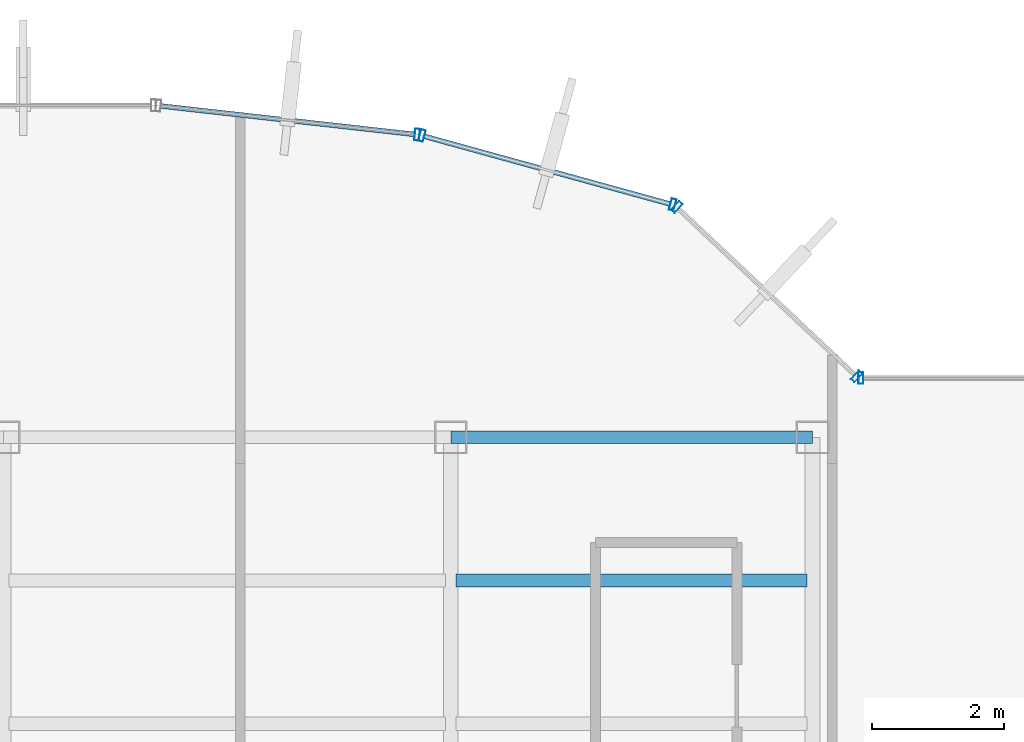
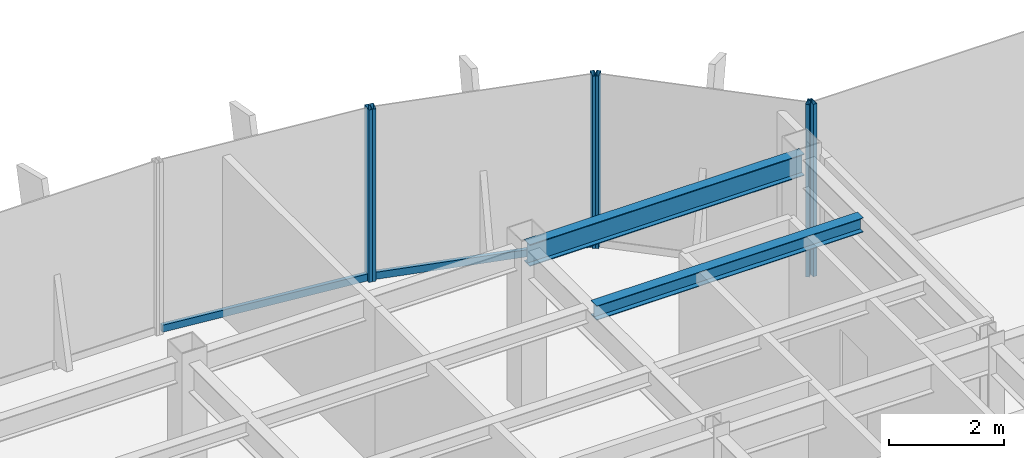
# One storey, part 14 of 22: 8 members, 2 beams, 4 elements without a shape of their own.
"""IFC4 building model written with IfcOpenShell, lengths in metres."""

import ifcopenshell
import ifcopenshell.guid

model = None  # the IFC model being written
_history = None  # IfcOwnerHistory: only IFC2X3 demands one
_inside = {}  # id of a spatial element -> (the spatial element, [elements in it])
_under = {}  # id of a project, library or spatial element -> (it, [spatial elements below it])
_declared = {}  # id of a project -> (the project, [libraries it declares])
_typed = {}  # id of a type object -> (the type object, [elements of that type])
_made_of = {}  # id of a material, layer set ... -> (it, [elements and type objects made of it])


def new_model(schema):
    """Start an empty IFC model of exactly this schema.

    Asked for "IFC4X3", IfcOpenShell would pick the latest addendum, in which some entities
    have other attributes; the version numbers below select the first issue.
    IFC2X3 requires an IfcOwnerHistory on every rooted entity: one is made here for all.
    """
    global model, _history
    if schema == "IFC4X3":
        model = ifcopenshell.file(schema_version=(4, 3, 0, 0))
    else:
        model = ifcopenshell.file(schema=schema)
    _inside.clear()
    _under.clear()
    _declared.clear()
    _typed.clear()
    _made_of.clear()
    _history = None
    if model.schema == "IFC2X3":
        org = make("IfcOrganization", Name="unknown")
        user = make(
            "IfcPersonAndOrganization",
            ThePerson=make("IfcPerson", FamilyName="unknown"),
            TheOrganization=org,
        )
        app = make(
            "IfcApplication",
            ApplicationDeveloper=org,
            Version="unknown",
            ApplicationFullName="unknown",
            ApplicationIdentifier="unknown",
        )
        _history = make(
            "IfcOwnerHistory",
            OwningUser=user,
            OwningApplication=app,
            ChangeAction="ADDED",
            CreationDate=0,
        )
    return model


def make(cls, **values):
    """One entity of the class cls with the attributes given. An attribute that is None is left unset."""
    return model.create_entity(
        cls, **{name: value for name, value in values.items() if value is not None}
    )


def rooted(cls, **values):
    """An entity with a GlobalId (a new one), such as an element, a storey or a relation."""
    return make(cls, GlobalId=ifcopenshell.guid.new(), OwnerHistory=_history, **values)


def si_unit(unit_type, name, prefix=None):
    """IfcSIUnit, for example si_unit("LENGTHUNIT", "METRE", prefix="MILLI")."""
    return make("IfcSIUnit", UnitType=unit_type, Prefix=prefix, Name=name)


def derived_unit(unit_type, elements):
    """IfcDerivedUnit: a product of units, each with its exponent."""
    return make(
        "IfcDerivedUnit",
        Elements=[
            make("IfcDerivedUnitElement", Unit=unit, Exponent=power)
            for unit, power in elements
        ],
        UnitType=unit_type,
    )


def assignment(units):
    """IfcUnitAssignment: the units of a project."""
    return None if units is None else make("IfcUnitAssignment", Units=units)


def point(xyz):
    """IfcCartesianPoint."""
    return None if xyz is None else make("IfcCartesianPoint", Coordinates=xyz)


def direction(xyz):
    """IfcDirection."""
    return None if xyz is None else make("IfcDirection", DirectionRatios=xyz)


def frame(location, z_axis=None, x_axis=None):
    """IfcAxis2Placement3D, a coordinate frame: its origin and axes. An axis left out is left unset."""
    return make(
        "IfcAxis2Placement3D",
        Location=point(location),
        Axis=direction(z_axis),
        RefDirection=direction(x_axis),
    )


def frame_2d(location, x_axis=None):
    """IfcAxis2Placement2D, a coordinate frame in the plane: its origin and x axis."""
    return make(
        "IfcAxis2Placement2D", Location=point(location), RefDirection=direction(x_axis)
    )


def origin():
    """The frame at (0, 0, 0) with its axes left unset."""
    return frame((0.0, 0.0, 0.0))


def origin_2d():
    """The frame at (0, 0) in the plane with its x axis left unset."""
    return frame_2d((0.0, 0.0))


def place(relative_to, where):
    """IfcLocalPlacement: puts the frame where relative to a parent placement (None: the world)."""
    return make(
        "IfcLocalPlacement", PlacementRelTo=relative_to, RelativePlacement=where
    )


def context(
    kind, dimensions, precision=None, world=None, true_north=None, identifier=None
):
    """IfcGeometricRepresentationContext, for example the 3D "Model" context."""
    return make(
        "IfcGeometricRepresentationContext",
        ContextIdentifier=identifier,
        ContextType=kind,
        CoordinateSpaceDimension=dimensions,
        Precision=precision,
        WorldCoordinateSystem=world,
        TrueNorth=true_north,
    )


def subcontext(parent, identifier, kind, view, scale=None):
    """IfcGeometricRepresentationSubContext, for example "Body" below "Model"."""
    return make(
        "IfcGeometricRepresentationSubContext",
        ContextIdentifier=identifier,
        ContextType=kind,
        ParentContext=parent,
        TargetScale=scale,
        TargetView=view,
    )


def project(units=None, contexts=None):
    """IfcProject with its units and contexts."""
    return rooted(
        "IfcProject",
        Name="project",
        RepresentationContexts=contexts,
        UnitsInContext=assignment(units),
    )


def spatial(cls, under=None, at=None, **own):
    """A site, building, storey or space (cls), placed at a placement, below another one or the project."""
    s = rooted(cls, ObjectPlacement=at, **own)
    if under is not None:
        _under.setdefault(under.id(), (under, []))[1].append(s)
    return s


def profile(cls, at=None, kind="AREA", **sizes):
    """A parametric profile (cls). Its sizes go by their IFC names, for example OverallWidth=200.0."""
    return make(cls, ProfileType=kind, Position=at, **sizes)


def hollow_rectangle(**sizes):
    """IfcRectangleHollowProfileDef."""
    return profile("IfcRectangleHollowProfileDef", **sizes)


def i_section(**sizes):
    """IfcIShapeProfileDef."""
    return profile("IfcIShapeProfileDef", **sizes)


def extrude(swept, where, along, depth):
    """IfcExtrudedAreaSolid: the profile swept, set in the frame where, extruded along a direction by depth."""
    return make(
        "IfcExtrudedAreaSolid",
        SweptArea=swept,
        Position=where,
        ExtrudedDirection=direction(along),
        Depth=depth,
    )


def shape(context_of_items, identifier, shape_type, items):
    """IfcShapeRepresentation: the items that make up one representation, for example the "Body"."""
    return make(
        "IfcShapeRepresentation",
        ContextOfItems=context_of_items,
        RepresentationIdentifier=identifier,
        RepresentationType=shape_type,
        Items=items,
    )


def source(mapping_origin, context_of_items, identifier, shape_type, items):
    """IfcRepresentationMap: a shape defined once, which mapped items show again and again."""
    return make(
        "IfcRepresentationMap",
        MappingOrigin=mapping_origin,
        MappedRepresentation=shape(context_of_items, identifier, shape_type, items),
    )


def transform(
    local_origin,
    x_axis=None,
    y_axis=None,
    z_axis=None,
    scale=None,
    scale2=None,
    scale3=None,
    uniform=True,
):
    """IfcCartesianTransformationOperator3D, or its non-uniform kind. x_axis, y_axis, z_axis: its Axis1, 2, 3."""
    if uniform:
        return make(
            "IfcCartesianTransformationOperator3D",
            Axis1=direction(x_axis),
            Axis2=direction(y_axis),
            LocalOrigin=point(local_origin),
            Scale=scale,
            Axis3=direction(z_axis),
        )
    return make(
        "IfcCartesianTransformationOperator3DnonUniform",
        Axis1=direction(x_axis),
        Axis2=direction(y_axis),
        LocalOrigin=point(local_origin),
        Scale=scale,
        Axis3=direction(z_axis),
        Scale2=scale2,
        Scale3=scale3,
    )


def mapped(mapping_source, mapping_target):
    """IfcMappedItem: shows the shape of a source again, moved by a transform."""
    return make(
        "IfcMappedItem", MappingSource=mapping_source, MappingTarget=mapping_target
    )


def material(Name=None, Category=None):
    """IfcMaterial."""
    return make("IfcMaterial", Name=Name, Category=Category)


def material_profile(
    of_material, cross_section, Name=None, Category=None, Priority=None
):
    """IfcMaterialProfile: a cross section and its material."""
    return make(
        "IfcMaterialProfile",
        Name=Name,
        Material=of_material,
        Profile=cross_section,
        Priority=Priority,
        Category=Category,
    )


def profile_set(profiles, Name=None, composite=None):
    """IfcMaterialProfileSet."""
    return make(
        "IfcMaterialProfileSet",
        Name=Name,
        MaterialProfiles=profiles,
        CompositeProfile=composite,
    )


def made_of(thing, what):
    """Note that an element or type object is made of a material, layer set ...; save() writes the relation."""
    if what is not None:
        _made_of.setdefault(what.id(), (what, []))[1].append(thing)
    return thing


def type_object(cls, material=None, **own):
    """A type object (cls), such as IfcWallType, which elements share."""
    return made_of(rooted(cls, **own), material)


def element(
    cls,
    number,
    at=None,
    inside=None,
    cuts=None,
    type_object=None,
    material=None,
    context=None,
    identifier="Body",
    shape_type=None,
    held_by="IfcProductDefinitionShape",
    body=None,
    shapes=None,
    **own,
):
    """One element of the class cls, such as IfcWall. Its Tag is "e" and its number.

    at: its placement. inside: the storey or other place that contains it. cuts: it is an
    opening in that element (IfcRelVoidsElement). A single representation is given by context,
    identifier, shape_type and body (its items); several are given by shapes. held_by: the class
    of the entity that holds the representations. save() writes the other relations.
    """
    e = rooted(cls, Tag="e%d" % number, ObjectPlacement=at, **own)
    if body is not None:
        shapes = [shape(context, identifier, shape_type, body)]
    if shapes is not None:
        e.Representation = make(held_by, Representations=shapes)
    if inside is not None:
        _inside.setdefault(inside.id(), (inside, []))[1].append(e)
    if cuts is not None:
        rooted(
            "IfcRelVoidsElement", RelatingBuildingElement=cuts, RelatedOpeningElement=e
        )
    if type_object is not None:
        _typed.setdefault(type_object.id(), (type_object, []))[1].append(e)
    return made_of(e, material)


def aggregate(whole, parts):
    """IfcRelAggregates: a whole, such as a stair, and the parts it consists of."""
    return rooted("IfcRelAggregates", RelatingObject=whole, RelatedObjects=parts)


def save(model, path):
    """Write the relations noted so far, then the file.

    IfcRelAggregates (storeys below a building ...), IfcRelContainedInSpatialStructure (elements
    in a storey), IfcRelDefinesByType, IfcRelAssociatesMaterial and IfcRelDeclares: one each for
    every whole, place, type object, material and project.
    """
    for whole, parts in _under.values():
        aggregate(whole, parts)
    for where, things in _inside.values():
        rooted(
            "IfcRelContainedInSpatialStructure",
            RelatedElements=things,
            RelatingStructure=where,
        )
    for kind, things in _typed.values():
        rooted("IfcRelDefinesByType", RelatedObjects=things, RelatingType=kind)
    for what, things in _made_of.values():
        rooted("IfcRelAssociatesMaterial", RelatedObjects=things, RelatingMaterial=what)
    for by, libraries in _declared.values():
        rooted("IfcRelDeclares", RelatingContext=by, RelatedDefinitions=libraries)
    model.write(path)


model = new_model("IFC4")

# Units and contexts
model_context = context("Model", 3, precision=1e-05, world=origin(), true_north=direction((0.0, 1.0)))
body_context = subcontext(model_context, "Body", "Model", "MODEL_VIEW")
ifc_project = project(units=[si_unit("LENGTHUNIT", "METRE"), si_unit("AREAUNIT", "SQUARE_METRE"), si_unit("VOLUMEUNIT", "CUBIC_METRE"), si_unit("PLANEANGLEUNIT", "RADIAN"), si_unit("MASSUNIT", "GRAM", prefix="KILO"), derived_unit("THERMALTRANSMITTANCEUNIT", [(si_unit("POWERUNIT", "WATT"), 1), (si_unit("LENGTHUNIT", "METRE"), -2), (si_unit("THERMODYNAMICTEMPERATUREUNIT", "KELVIN"), -1)])], contexts=[model_context])

# Site, building, storey
site_placement = place(None, origin())
site = spatial("IfcSite", under=ifc_project, at=site_placement, CompositionType="ELEMENT")
building_placement = place(site_placement, origin())
building = spatial("IfcBuilding", under=site, at=building_placement, Name="Skarnbrae Concourse Arena and Tower", CompositionType="ELEMENT")
storey_placement = place(building_placement, frame((0.0, 0.0, 240.550048828125)))
storey = spatial("IfcBuildingStorey", under=building, at=storey_placement, Name="L62", CompositionType="ELEMENT", Elevation=240.550048828125)

# Beams
ifc_material_1 = material(Name="Steel CSA G40.21 350W", Category="steel")
ifc_material_profile_1 = material_profile(ifc_material_1, i_section(OverallWidth=0.19091796875, OverallDepth=0.4599609375, WebThickness=0.010009765625, FlangeThickness=0.01611328125, at=origin_2d()), Name="W460X82")
ifc_profile_set_1 = profile_set([ifc_material_profile_1], Name="Steel CSA G40.21 350W")
beam_type_1 = type_object("IfcBeamType", Name="BM-SPAN-W460X82", PredefinedType="SPANDREL", material=ifc_profile_set_1)
shared_shape_1 = source(origin(), body_context, "Body", "SweptSolid", [
    extrude(i_section(OverallWidth=0.19091796875, OverallDepth=0.4599609375, WebThickness=0.010009765625, FlangeThickness=0.01611328125, at=origin_2d()), origin(), (0.0, 0.0, 1.0), 5.5),
])
beam_1_placement = place(storey_placement, frame((28.0, 34.39990234375, 3.169921875), z_axis=(1.0, 0.0, 0.0), x_axis=(0.0, 1.0, 0.0)))
element("IfcBeam", 1, at=beam_1_placement, inside=storey, type_object=beam_type_1, Name="L62 Perimeter spandrel Y34.4-4", PredefinedType="SPANDREL", context=body_context, shape_type="MappedRepresentation", body=[
    mapped(shared_shape_1, transform((0.0, 0.0, 0.0))),
])
ifc_material_profile_2 = material_profile(ifc_material_1, i_section(OverallWidth=0.202880859375, OverallDepth=0.302978515625, WebThickness=0.007568359375, FlangeThickness=0.01318359375, at=origin_2d()), Name="W310X60")
ifc_profile_set_2 = profile_set([ifc_material_profile_2], Name="Steel CSA G40.21 350W")
beam_type_2 = type_object("IfcBeamType", Name="BM-JOIST-W310X60", PredefinedType="JOIST", material=ifc_profile_set_2)
shared_shape_2 = source(origin(), body_context, "Body", "SweptSolid", [
    extrude(i_section(OverallWidth=0.202880859375, OverallDepth=0.302978515625, WebThickness=0.007568359375, FlangeThickness=0.01318359375, at=origin_2d()), origin(), (0.0, 0.0, 1.0), 5.33984375),
])
beam_2_placement = place(storey_placement, frame((28.080078125, 32.221923828125, 3.24853515625), z_axis=(1.0, 0.0, 0.0), x_axis=(0.0, 1.0, 0.0)))
element("IfcBeam", 2, at=beam_2_placement, inside=storey, type_object=beam_type_2, Name="L62 Secondary floor joist 3.2.4", PredefinedType="JOIST", context=body_context, shape_type="MappedRepresentation", body=[
    mapped(shared_shape_2, transform((0.0, 0.0, 0.0))),
])

# Curtain wall, member
ifc_material_2 = material(Name="Bronze anodised aluminium 6063-T6", Category="aluminium")
curtain_wall_type = type_object("IfcCurtainWallType", Name="CW-SYS-05-HIGHZONE", PredefinedType="USERDEFINED", material=ifc_material_2)
curtain_wall_1_placement = place(storey_placement, origin())
curtain_wall_1 = element("IfcCurtainWall", 3, at=curtain_wall_1_placement, inside=storey, type_object=curtain_wall_type, Name="L62 Unitised curtain wall CW-L62-E07", ObjectType="UNITISED CURTAIN WALL", PredefinedType="USERDEFINED")
ifc_material_profile_3 = material_profile(ifc_material_2, hollow_rectangle(XDim=0.074951171875, YDim=0.179931640625, WallThickness=0.00390625, at=origin_2d()), Name="ALU-MULL-75X180")
ifc_profile_set_3 = profile_set([ifc_material_profile_3], Name="Bronze anodised aluminium 6063-T6")
member_type_1 = type_object("IfcMemberType", Name="CWM-CW-05", PredefinedType="MULLION", material=ifc_profile_set_3)
shared_shape_3 = source(origin(), body_context, "Body", "SweptSolid", [
    extrude(hollow_rectangle(XDim=0.074951171875, YDim=0.179931640625, WallThickness=0.00390625, at=origin_2d()), origin(), (0.0, 0.0, 1.0), 3.64990234375),
])
member_1_placement = place(storey_placement, frame((34.237548828125, 35.300048828125, 0.0), z_axis=(0.0, 0.0, 1.0), x_axis=(-1.0, 0.0, 0.0)))
member_1 = element("IfcMember", 4, at=member_1_placement, type_object=member_type_1, Name="CW-L62-E07 Mullion 2", PredefinedType="MULLION", context=body_context, shape_type="MappedRepresentation", body=[
    mapped(shared_shape_3, transform((0.0, 0.0, 0.0))),
])
aggregate(curtain_wall_1, [member_1])

# Curtain wall, members
curtain_wall_2_placement = place(storey_placement, origin())
curtain_wall_2 = element("IfcCurtainWall", 5, at=curtain_wall_2_placement, inside=storey, type_object=curtain_wall_type, Name="L62 Unitised curtain wall CW-L62-E08", ObjectType="UNITISED CURTAIN WALL", PredefinedType="USERDEFINED")
member_2_placement = place(storey_placement, frame((34.172607421875, 35.32568359375, 0.0), z_axis=(0.0, 0.0, 1.0), x_axis=(-0.728130555214, 0.685438468838, 0.0)))
member_2 = element("IfcMember", 6, at=member_2_placement, type_object=member_type_1, Name="CW-L62-E08 Mullion 1", PredefinedType="MULLION", context=body_context, shape_type="MappedRepresentation", body=[
    mapped(shared_shape_3, transform((0.0, 0.0, 0.0))),
])
member_3_placement = place(storey_placement, frame((31.43701171875, 37.90087890625, 0.0), z_axis=(0.0, 0.0, 1.0), x_axis=(-0.728130555214, 0.685438468838, 0.0)))
member_3 = element("IfcMember", 7, at=member_3_placement, type_object=member_type_1, Name="CW-L62-E08 Mullion 2", PredefinedType="MULLION", context=body_context, shape_type="MappedRepresentation", body=[
    mapped(shared_shape_3, transform((0.0, 0.0, 0.0))),
])
aggregate(curtain_wall_2, [member_2, member_3])

curtain_wall_3_placement = place(storey_placement, origin())
curtain_wall_3 = element("IfcCurtainWall", 8, at=curtain_wall_3_placement, inside=storey, type_object=curtain_wall_type, Name="L62 Unitised curtain wall CW-L62-E09", ObjectType="UNITISED CURTAIN WALL", PredefinedType="USERDEFINED")
member_4_placement = place(storey_placement, frame((31.37353515625, 37.936767578125, 0.0), z_axis=(0.0, 0.0, 1.0), x_axis=(-0.964057388766, 0.265694093207, 0.0)))
member_4 = element("IfcMember", 9, at=member_4_placement, type_object=member_type_1, Name="CW-L62-E09 Mullion 1", PredefinedType="MULLION", context=body_context, shape_type="MappedRepresentation", body=[
    mapped(shared_shape_3, transform((0.0, 0.0, 0.0))),
])
member_5_placement = place(storey_placement, frame((27.56201171875, 38.987060546875, 0.0), z_axis=(0.0, 0.0, 1.0), x_axis=(-0.964057388766, 0.265694093207, 0.0)))
member_5 = element("IfcMember", 10, at=member_5_placement, type_object=member_type_1, Name="CW-L62-E09 Mullion 2", PredefinedType="MULLION", context=body_context, shape_type="MappedRepresentation", body=[
    mapped(shared_shape_3, transform((0.0, 0.0, 0.0))),
])

# Curtain wall, member
curtain_wall_4_placement = place(storey_placement, origin())
curtain_wall_4 = element("IfcCurtainWall", 11, at=curtain_wall_4_placement, inside=storey, type_object=curtain_wall_type, Name="L62 Unitised curtain wall CW-L62-E10", ObjectType="UNITISED CURTAIN WALL", PredefinedType="USERDEFINED")
member_6_placement = place(storey_placement, frame((27.488525390625, 39.001220703125, 0.0), z_axis=(0.0, 0.0, 1.0), x_axis=(-0.993768891873, 0.111460259941, 0.0)))
member_6 = element("IfcMember", 12, at=member_6_placement, type_object=member_type_1, Name="CW-L62-E10 Mullion 1", PredefinedType="MULLION", context=body_context, shape_type="MappedRepresentation", body=[
    mapped(shared_shape_3, transform((0.0, 0.0, 0.0))),
])

# Member
ifc_material_profile_4 = material_profile(ifc_material_2, hollow_rectangle(XDim=0.074951171875, YDim=0.14990234375, WallThickness=0.00390625, at=origin_2d()), Name="ALU-TRAN-75X150")
ifc_profile_set_4 = profile_set([ifc_material_profile_4], Name="Bronze anodised aluminium 6063-T6")
member_type_2 = type_object("IfcMemberType", Name="CWT-CW-05", PredefinedType="USERDEFINED", material=ifc_profile_set_4)
shared_shape_4 = source(origin(), body_context, "Body", "SweptSolid", [
    extrude(hollow_rectangle(XDim=0.074951171875, YDim=0.14990234375, WallThickness=0.00390625, at=origin_2d()), origin(), (0.0, 0.0, 1.0), 3.878662109375),
])
member_7_placement = place(storey_placement, frame((31.33740234375, 37.946533203125, 0.074951171875), z_axis=(-0.964042677713, 0.265747465742, 0.0), x_axis=(-0.265747465742, -0.964042677713, 0.0)))
member_7 = element("IfcMember", 13, at=member_7_placement, type_object=member_type_2, Name="CW-L62-E09 Transom 1", ObjectType="TRANSOM", PredefinedType="USERDEFINED", context=body_context, shape_type="MappedRepresentation", body=[
    mapped(shared_shape_4, transform((0.0, 0.0, 0.0))),
])

aggregate(curtain_wall_3, [member_4, member_5, member_7])

shared_shape_5 = source(origin(), body_context, "Body", "SweptSolid", [
    extrude(hollow_rectangle(XDim=0.074951171875, YDim=0.14990234375, WallThickness=0.00390625, at=origin_2d()), origin(), (0.0, 0.0, 1.0), 3.8837890625),
])
member_8_placement = place(storey_placement, frame((27.451416015625, 39.005615234375, 0.074951171875), z_axis=(-0.993776714154, 0.111390495128, 0.0), x_axis=(-0.111390495128, -0.993776714154, 0.0)))
member_8 = element("IfcMember", 14, at=member_8_placement, type_object=member_type_2, Name="CW-L62-E10 Transom 1", ObjectType="TRANSOM", PredefinedType="USERDEFINED", context=body_context, shape_type="MappedRepresentation", body=[
    mapped(shared_shape_5, transform((0.0, 0.0, 0.0))),
])

aggregate(curtain_wall_4, [member_6, member_8])

save(model, "model.ifc")
